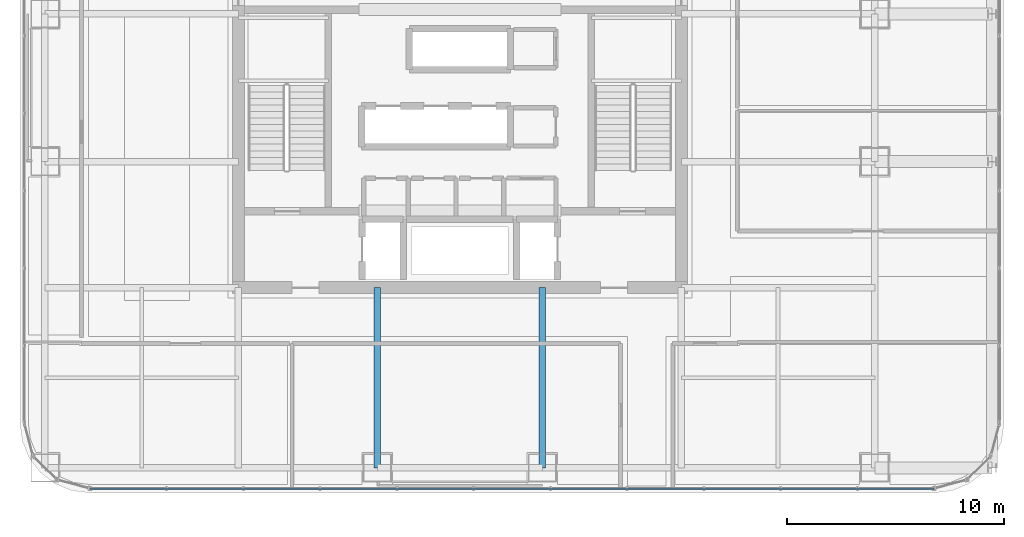
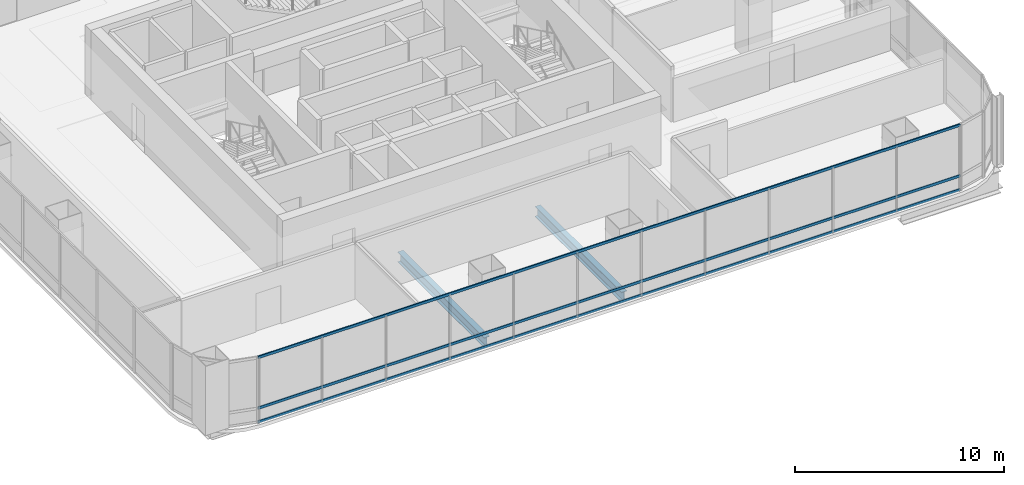
# One storey, part 7 of 42: 3 members, 2 beams, 1 element without a shape of its own.
"""IFC4 building model written with IfcOpenShell, lengths in metres."""

from ifc_helpers import new_model, si_unit, direction, frame, origin, origin_2d, place, context, subcontext, project, spatial, hollow_rectangle, i_section, extrude, material, material_profile, profile_set, type_object, element, aggregate, save


model = new_model("IFC4")

# Units and contexts
model_context = context("Model", 3, precision=1e-05, world=origin(), true_north=direction((0.0, 1.0)))
body_context = subcontext(model_context, "Body", "Model", "MODEL_VIEW")
ifc_project = project(units=[si_unit("LENGTHUNIT", "METRE"), si_unit("AREAUNIT", "SQUARE_METRE"), si_unit("VOLUMEUNIT", "CUBIC_METRE"), si_unit("PLANEANGLEUNIT", "RADIAN"), si_unit("MASSUNIT", "GRAM", prefix="KILO")], contexts=[model_context])

# Site, building, storey
site_placement = place(None, origin())
site = spatial("IfcSite", under=ifc_project, at=site_placement, CompositionType="ELEMENT")
building_placement = place(site_placement, origin())
building = spatial("IfcBuilding", under=site, at=building_placement, Name="Punatoya Terracotta Tower", CompositionType="ELEMENT")
storey_placement = place(building_placement, frame((0.0, 0.0, 259.5)))
storey = spatial("IfcBuildingStorey", under=building, at=storey_placement, Name="L61", CompositionType="ELEMENT", Elevation=259.5)

# Beams
ifc_material_1 = material(Name="Steel S355", Category="steel")
ifc_material_profile_1 = material_profile(ifc_material_1, i_section(OverallWidth=0.300048828125, OverallDepth=0.60009765625, WebThickness=0.015380859375, FlangeThickness=0.030029296875, FilletRadius=0.01806640625, at=origin_2d()))
ifc_profile_set_1 = profile_set([ifc_material_profile_1], Name="Steel S355")
beam_type = type_object("IfcBeamType", Name="BM-PRI-600", PredefinedType="BEAM", material=ifc_profile_set_1)
for number, where, z_axis, x_axis, name in (
    (1, (-3.800048828125, -17.5, -0.5), (0.0, 1.0, 0.0), (-1.0, 0.0, 0.0), "BM-L61-PR-S2"),
    (2, (3.800048828125, -17.5, -0.5), (0.0, 1.0, 0.0), (-1.0, 0.0, 0.0), "BM-L61-PR-S3"),
):
    element("IfcBeam", number, at=place(storey_placement, frame(where, z_axis=z_axis, x_axis=x_axis)), inside=storey, type_object=beam_type, Name=name, PredefinedType="BEAM", context=body_context, shape_type="SweptSolid", body=[
        extrude(i_section(OverallWidth=0.300048828125, OverallDepth=0.60009765625, WebThickness=0.015380859375, FlangeThickness=0.030029296875, FilletRadius=0.01806640625, at=origin_2d()), origin(), (0.0, 0.0, 1.0), 8.300048828125),
    ])

# Curtain wall, members
ifc_material_2 = material(Name="Aluminium 6063-T6 + Double Low-E Glass", Category="aluminium")
curtain_wall_type = type_object("IfcCurtainWallType", Name="CW-M3", PredefinedType="NOTDEFINED", material=ifc_material_2)
curtain_wall_placement = place(storey_placement, origin())
curtain_wall = element("IfcCurtainWall", 3, at=curtain_wall_placement, inside=storey, type_object=curtain_wall_type, Name="L61 Curtain Wall CW-L61-S01-1", PredefinedType="NOTDEFINED")
ifc_material_3 = material(Name="Aluminium 6063-T6", Category="aluminium")
ifc_material_profile_2 = material_profile(ifc_material_3, hollow_rectangle(XDim=0.068115234375, YDim=0.14990234375, WallThickness=0.00390625, at=origin_2d()))
ifc_profile_set_2 = profile_set([ifc_material_profile_2], Name="Aluminium 6063-T6")
member_type = type_object("IfcMemberType", Name="CW-TRN-TYP", PredefinedType="USERDEFINED", material=ifc_profile_set_2)
member_1_placement = place(storey_placement, frame((-17.036865234375, -18.449951171875, 0.0400390625), z_axis=(1.0, 0.0, 0.0), x_axis=(0.0, 1.0, 0.0)))
member_1 = element("IfcMember", 4, at=member_1_placement, type_object=member_type, Name="CW-L61-S01-1 Transom 1", ObjectType="TRANSOM", PredefinedType="USERDEFINED", context=body_context, shape_type="SweptSolid", body=[
    extrude(hollow_rectangle(XDim=0.068115234375, YDim=0.14990234375, WallThickness=0.00390625, at=origin_2d()), origin(), (0.0, 0.0, 1.0), 38.873779296875),
])
member_2_placement = place(storey_placement, frame((-17.036865234375, -18.449951171875, 0.85009765625), z_axis=(1.0, 0.0, 0.0), x_axis=(0.0, 1.0, 0.0)))
member_2 = element("IfcMember", 5, at=member_2_placement, type_object=member_type, Name="CW-L61-S01-1 Transom 2", ObjectType="TRANSOM", PredefinedType="USERDEFINED", context=body_context, shape_type="SweptSolid", body=[
    extrude(hollow_rectangle(XDim=0.068115234375, YDim=0.14990234375, WallThickness=0.00390625, at=origin_2d()), origin(), (0.0, 0.0, 1.0), 38.873779296875),
])
member_3_placement = place(storey_placement, frame((-17.036865234375, -18.449951171875, 3.81005859375), z_axis=(1.0, 0.0, 0.0), x_axis=(0.0, 1.0, 0.0)))
member_3 = element("IfcMember", 6, at=member_3_placement, type_object=member_type, Name="CW-L61-S01-1 Transom 3", ObjectType="TRANSOM", PredefinedType="USERDEFINED", context=body_context, shape_type="SweptSolid", body=[
    extrude(hollow_rectangle(XDim=0.068115234375, YDim=0.14990234375, WallThickness=0.00390625, at=origin_2d()), origin(), (0.0, 0.0, 1.0), 38.873779296875),
])
aggregate(curtain_wall, [member_1, member_2, member_3])

save(model, "model.ifc")
